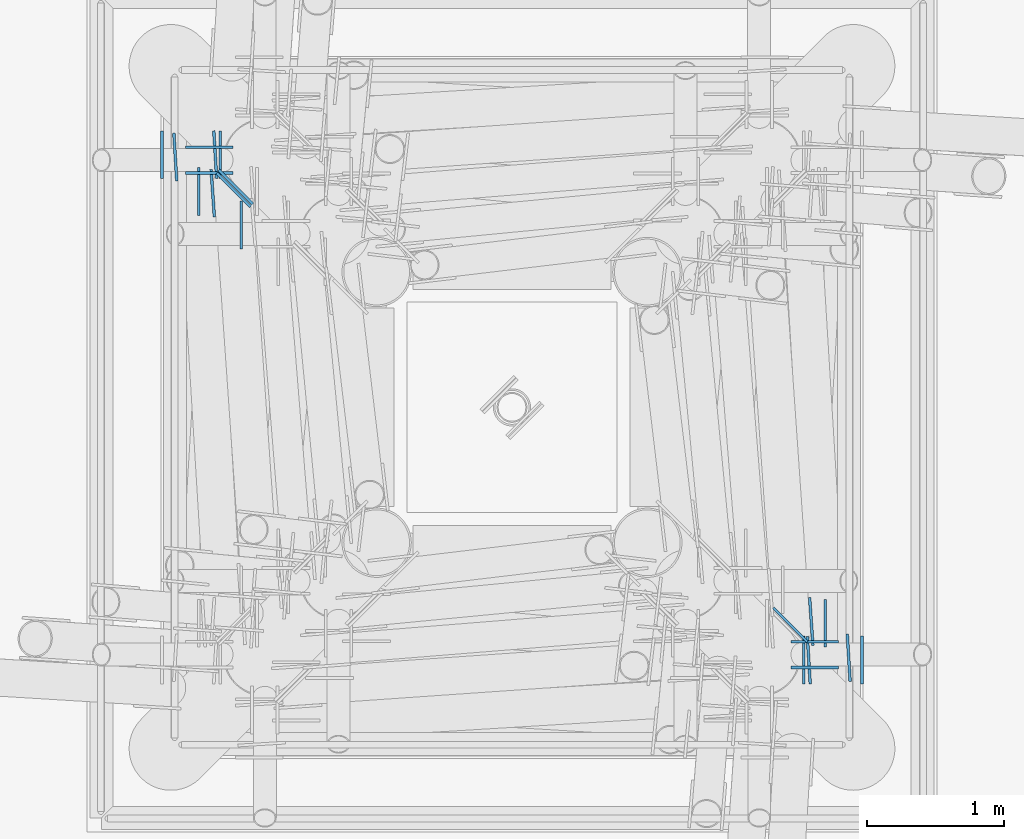
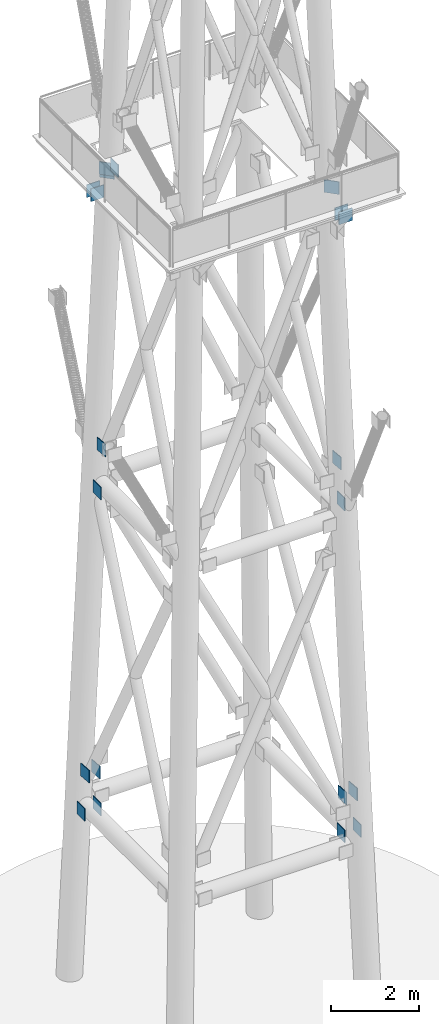
# One storey, part 13 of 25: 20 discrete accessories.
"""IFC4 building model written with IfcOpenShell, lengths in metres."""

from ifc_helpers import new_model, si_unit, direction, frame, origin, origin_2d, place, context, subcontext, project, spatial, rectangle, extrude, element, save


model = new_model("IFC4")

# Units and contexts
model_context = context("Model", 3, precision=1e-05, world=origin(), true_north=direction((0.0, 1.0)))
body_context = subcontext(model_context, "Body", "Model", "MODEL_VIEW")
ifc_project = project(units=[si_unit("LENGTHUNIT", "METRE"), si_unit("AREAUNIT", "SQUARE_METRE"), si_unit("VOLUMEUNIT", "CUBIC_METRE"), si_unit("PLANEANGLEUNIT", "RADIAN"), si_unit("MASSUNIT", "GRAM", prefix="KILO")], contexts=[model_context])

# Site, building, storey
site_placement = place(None, origin())
site = spatial("IfcSite", under=ifc_project, at=site_placement, CompositionType="ELEMENT")
building_placement = place(site_placement, origin())
building = spatial("IfcBuilding", under=site, at=building_placement, Name="Vidyagriha Tower", CompositionType="ELEMENT")
storey_placement = place(building_placement, frame((0.0, 0.0, 318.39990234375)))
storey = spatial("IfcBuildingStorey", under=building, at=storey_placement, Name="RF", CompositionType="ELEMENT", Elevation=318.39990234375)

# Discrete accessories
for number, where, z_axis, x_axis, name in (
    (1, (2.0380859375, 11.407470703125, 22.650146484375), (0.0, 0.0, 1.0), (-0.707106781187, 0.707106781187, 0.0), "End plate ASTM A572 Grade 50 20mm"),
    (2, (-2.0380859375, 14.592529296875, 22.650146484375), (0.0, 0.0, 1.0), (0.707106781187, -0.707106781187, 0.0), "End plate ASTM A572 Grade 50 20mm"),
    (3, (-2.02294921875, 14.613525390625, 22.5498046875), (0.0, 0.0, 1.0), (0.707106781187, -0.707106781187, 0.0), "End plate ASTM A572 Grade 50 20mm"),
    (4, (2.56298828125, 11.14990234375, 4.824951171875), (0.0, 0.0, 1.0), (0.0, -1.0, 0.0), "End plate ASTM A572 Grade 50 20mm"),
    (5, (2.136962890625, 11.14990234375, 4.824951171875), (0.0, 0.0, 1.0), (0.0, -1.0, 0.0), "End plate ASTM A572 Grade 50 20mm"),
    (6, (-2.56298828125, 14.85009765625, 4.824951171875), (0.0, 0.0, 1.0), (0.0, 1.0, 0.0), "End plate ASTM A572 Grade 50 20mm"),
    (7, (-2.136962890625, 14.85009765625, 4.824951171875), (0.0, 0.0, 1.0), (0.0, 1.0, 0.0), "End plate ASTM A572 Grade 50 20mm"),
    (8, (2.29296875, 11.419921875, 13.824951171875), (0.0, 0.0, 1.0), (0.0, -1.0, 0.0), "End plate ASTM A572 Grade 50 20mm"),
    (9, (-2.29296875, 14.580078125, 13.824951171875), (0.0, 0.0, 1.0), (0.0, 1.0, 0.0), "End plate ASTM A572 Grade 50 20mm"),
    (10, (-1.98193359375, 14.335693359375, 22.824951171875), (0.0, 0.0, 1.0), (0.0, 1.0, 0.0), "End plate ASTM A572 Grade 50 20mm"),
    (11, (2.465087890625, 11.167236328125, 5.85791015625), (0.0, 0.0, 1.0), (0.060820326265, -0.998148730357, 0.0), "End plate ASTM A572 Grade 50 20mm"),
    (12, (2.1728515625, 11.1494140625, 5.85791015625), (0.0, 0.0, 1.0), (0.060820326265, -0.998148730357, 0.0), "End plate ASTM A572 Grade 50 20mm"),
    (13, (-2.465087890625, 14.832763671875, 5.85791015625), (0.0, 0.0, 1.0), (-0.060820326265, 0.998148730357, 0.0), "End plate ASTM A572 Grade 50 20mm"),
    (14, (-2.1728515625, 14.8505859375, 5.85791015625), (0.0, 0.0, 1.0), (-0.060820326265, 0.998148730357, 0.0), "End plate ASTM A572 Grade 50 20mm"),
    (15, (2.191162109375, 11.4326171875, 14.988037109375), (0.0, 0.0, 1.0), (0.069220211754, -0.997601404512, 0.0), "End plate ASTM A572 Grade 50 20mm"),
    (16, (-2.191162109375, 14.5673828125, 14.988037109375), (0.0, 0.0, 1.0), (-0.069220211754, 0.997601404512, 0.0), "End plate ASTM A572 Grade 50 20mm"),
    (17, (2.216552734375, 11.095947265625, 21.96337890625), (0.0, 0.0, 1.0), (-1.0, 0.0, 0.0), "End plate ASTM A572 Grade 50 20mm"),
    (18, (2.216552734375, 11.283935546875, 21.96337890625), (0.0, 0.0, 1.0), (-1.0, 0.0, 0.0), "End plate ASTM A572 Grade 50 20mm"),
):
    element("IfcDiscreteAccessory", number, at=place(storey_placement, frame(where, z_axis=z_axis, x_axis=x_axis)), inside=storey, Name=name, ObjectType="END PLATE", PredefinedType="USERDEFINED", context=body_context, shape_type="SweptSolid", body=[
        extrude(rectangle(XDim=0.35009765625, YDim=0.02001953125, at=origin_2d()), origin(), (0.0, 0.0, 1.0), 0.35009765625),
    ])
for number, where, name in (
    (19, (-2.216552734375, 14.904052734375, 21.96337890625), "End plate ASTM A572 Grade 50 20mm"),
    (20, (-2.216552734375, 14.716064453125, 21.96337890625), "End plate ASTM A572 Grade 50 20mm"),
):
    element("IfcDiscreteAccessory", number, at=place(storey_placement, frame(where)), inside=storey, Name=name, ObjectType="END PLATE", PredefinedType="USERDEFINED", context=body_context, shape_type="SweptSolid", body=[
        extrude(rectangle(XDim=0.35009765625, YDim=0.02001953125, at=origin_2d()), origin(), (0.0, 0.0, 1.0), 0.35009765625),
    ])

save(model, "model.ifc")
